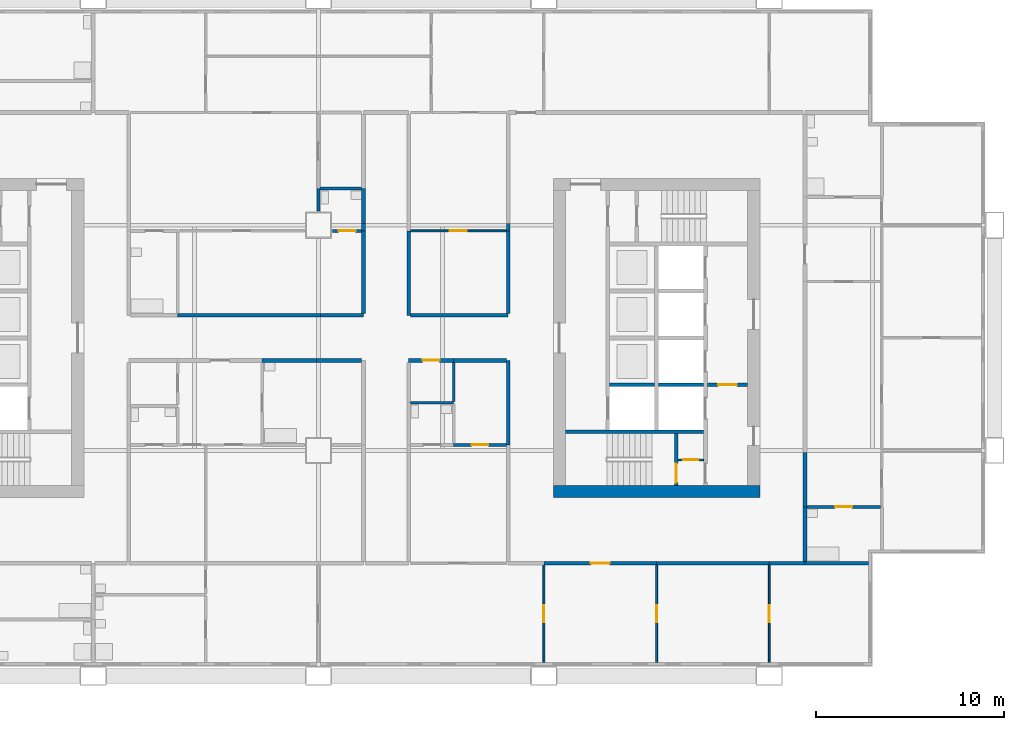
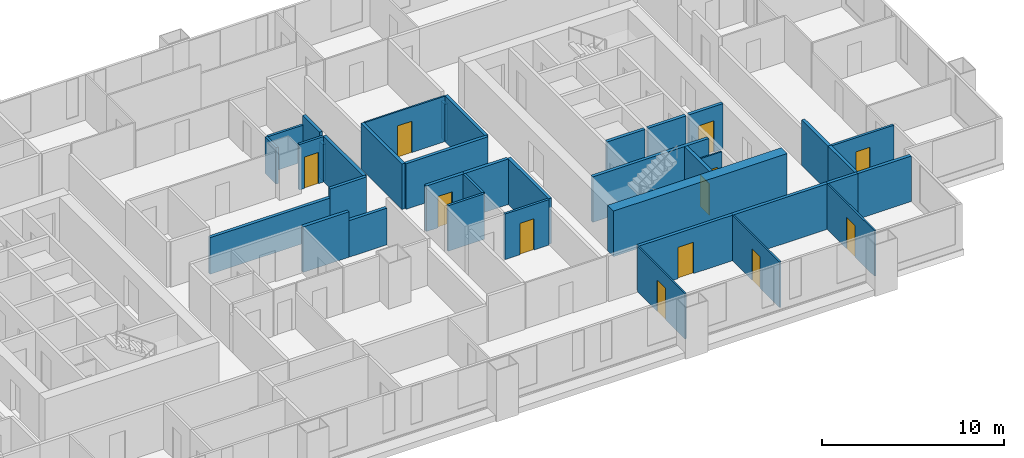
# One storey, part 6 of 13: 38 walls, 12 doors, 12 openings.
"""IFC4 building model written with IfcOpenShell, lengths in metres."""

from ifc_helpers import new_model, si_unit, direction, frame, frame_2d, origin, place, context, subcontext, project, spatial, rectangle, extrude, material, layer, layer_set, type_object, element, fill, save


model = new_model("IFC4")

# Units and contexts
model_context = context("Model", 3, precision=1e-05, world=origin(), true_north=direction((0.0, 1.0)))
body_context = subcontext(model_context, "Body", "Model", "MODEL_VIEW")
ifc_project = project(units=[si_unit("LENGTHUNIT", "METRE"), si_unit("AREAUNIT", "SQUARE_METRE"), si_unit("VOLUMEUNIT", "CUBIC_METRE"), si_unit("PLANEANGLEUNIT", "RADIAN"), si_unit("MASSUNIT", "GRAM", prefix="KILO")], contexts=[model_context])

# Site, building, storey
site_placement = place(None, origin())
site = spatial("IfcSite", under=ifc_project, at=site_placement, CompositionType="ELEMENT")
building_placement = place(site_placement, origin())
building = spatial("IfcBuilding", under=site, at=building_placement, Name="Kitamizu Gate Tower and Museum", CompositionType="ELEMENT")
storey_placement = place(building_placement, frame((0.0, 0.0, 144.89990234375)))
storey = spatial("IfcBuildingStorey", under=building, at=storey_placement, Name="L38", CompositionType="ELEMENT", Elevation=144.89990234375)

# Wall
ifc_material_1 = material(Name="Concrete Fc60", Category="concrete")
ifc_layer_1 = layer(ifc_material_1, 0.64990234375)
ifc_layer_set_1 = layer_set([ifc_layer_1], Name="Concrete Fc60")
wall_type_1 = type_object("IfcWallType", Name="Core wall 650", PredefinedType="SHEAR", material=ifc_layer_set_1)
wall_1_placement = place(storey_placement, frame((59.5, 21.824951171875, 0.0), z_axis=(0.0, 0.0, 1.0), x_axis=(-1.0, 0.0, 0.0)))
element("IfcWall", 1, at=wall_1_placement, inside=storey, type_object=wall_type_1, Name="Core wall ES", PredefinedType="SHEAR", context=body_context, shape_type="SweptSolid", body=[
    extrude(rectangle(XDim=11.0, YDim=0.64990234375, at=frame_2d((5.5, 0.0))), origin(), (0.0, 0.0, 1.0), 3.050048828125),
])

# Wall, opening, door
ifc_material_2 = material(Name="Gypsum board on galvanised stud")
ifc_layer_2 = layer(ifc_material_2, 0.10009765625)
ifc_layer_set_2 = layer_set([ifc_layer_2], Name="Gypsum board on galvanised stud")
wall_type_2 = type_object("IfcWallType", Name="Partition 100", PredefinedType="PARTITIONING", material=ifc_layer_set_2)
wall_2_placement = place(storey_placement, frame((56.5, 23.5, 0.0), z_axis=(0.0, 0.0, 1.0), x_axis=(-1.0, 0.0, 0.0)))
wall_2 = element("IfcWall", 2, at=wall_2_placement, inside=storey, type_object=wall_type_2, Name="Partition EPZS", PredefinedType="PARTITIONING", context=body_context, shape_type="SweptSolid", body=[
    extrude(rectangle(XDim=1.35009765625, YDim=0.10009765625, at=frame_2d((0.675048828125, 0.0))), origin(), (0.0, 0.0, 1.0), 3.050048828125),
])
opening_1_placement = place(wall_2_placement, frame((0.27490234375, 0.0, 0.0)))
opening_1 = element("IfcOpeningElement", 3, at=opening_1_placement, cuts=wall_2, Name="Opening L38-070", PredefinedType="OPENING", context=body_context, shape_type="SweptSolid", body=[
    extrude(rectangle(XDim=0.800048828125, YDim=2.10009765625, at=frame_2d((0.39990234375, 1.050048828125))), frame((0.0, 0.06005859375, 0.0), z_axis=(0.0, -1.0, 0.0), x_axis=(1.0, 0.0, 0.0)), (0.0, 0.0, 1.0), 0.1201171875),
])
ifc_material_3 = material(Name="Timber door set", Category="wood")
door_type_1 = type_object("IfcDoorType", Name="Cupboard door 800", OperationType="NOTDEFINED", PredefinedType="DOOR", material=ifc_material_3)
door_1_placement = place(opening_1_placement, origin())
door_1 = element("IfcDoor", 4, at=door_1_placement, inside=storey, type_object=door_type_1, Name="Cupboard door L38-070", OperationType="SINGLE_SWING_RIGHT", OverallHeight=2.10009765625, OverallWidth=0.800048828125, PredefinedType="DOOR", context=body_context, shape_type="SweptSolid", body=[
    extrude(rectangle(XDim=0.800048828125, YDim=2.10009765625, at=frame_2d((0.39990234375, 1.050048828125))), frame((0.0, 0.02490234375, 0.0), z_axis=(0.0, -1.0, 0.0), x_axis=(1.0, 0.0, 0.0)), (0.0, 0.0, 1.0), 0.050048828125),
])
fill(opening_1, door_1)

ifc_material_4 = material(Name="Gypsum board on galvanised stud")
ifc_layer_3 = layer(ifc_material_4, 0.10009765625)
ifc_layer_set_3 = layer_set([ifc_layer_3], Name="Gypsum board on galvanised stud")
wall_type_3 = type_object("IfcWallType", Name="Partition 100 NOT RATED", PredefinedType="PARTITIONING", material=ifc_layer_set_3)
wall_3_placement = place(storey_placement, frame((48.0, 12.719970703125, 0.0), z_axis=(0.0, 0.0, 1.0), x_axis=(0.0, 1.0, 0.0)))
wall_3 = element("IfcWall", 5, at=wall_3_placement, inside=storey, type_object=wall_type_3, Name="Partition L38-061", PredefinedType="PARTITIONING", context=body_context, shape_type="SweptSolid", body=[
    extrude(rectangle(XDim=5.179931640625, YDim=0.10009765625, at=frame_2d((2.58984375, 0.0))), origin(), (0.0, 0.0, 1.0), 3.050048828125),
])
opening_2_placement = place(wall_3_placement, frame((2.139892578125, 0.0, 0.0)))
opening_2 = element("IfcOpeningElement", 6, at=opening_2_placement, cuts=wall_3, Name="Opening L38-020", PredefinedType="OPENING", context=body_context, shape_type="SweptSolid", body=[
    extrude(rectangle(XDim=0.89990234375, YDim=2.10009765625, at=frame_2d((0.449951171875, 1.050048828125))), frame((0.0, 0.06005859375, 0.0), z_axis=(0.0, -1.0, 0.0), x_axis=(1.0, 0.0, 0.0)), (0.0, 0.0, 1.0), 0.1201171875),
])
ifc_material_5 = material(Name="Timber door set", Category="wood")
door_type_2 = type_object("IfcDoorType", Name="Room door 900", OperationType="NOTDEFINED", PredefinedType="DOOR", material=ifc_material_5)
door_2_placement = place(opening_2_placement, origin())
door_2 = element("IfcDoor", 7, at=door_2_placement, inside=storey, type_object=door_type_2, Name="Door L38-020", OperationType="SINGLE_SWING_RIGHT", OverallHeight=2.10009765625, OverallWidth=0.89990234375, PredefinedType="DOOR", context=body_context, shape_type="SweptSolid", body=[
    extrude(rectangle(XDim=0.89990234375, YDim=2.10009765625, at=frame_2d((0.449951171875, 1.050048828125))), frame((0.0, 0.02490234375, 0.0), z_axis=(0.0, -1.0, 0.0), x_axis=(1.0, 0.0, 0.0)), (0.0, 0.0, 1.0), 0.050048828125),
])
fill(opening_2, door_2)

wall_4_placement = place(storey_placement, frame((54.0, 12.719970703125, 0.0), z_axis=(0.0, 0.0, 1.0), x_axis=(0.0, 1.0, 0.0)))
wall_4 = element("IfcWall", 8, at=wall_4_placement, inside=storey, type_object=wall_type_3, Name="Partition L38-065", PredefinedType="PARTITIONING", context=body_context, shape_type="SweptSolid", body=[
    extrude(rectangle(XDim=5.179931640625, YDim=0.10009765625, at=frame_2d((2.58984375, 0.0))), origin(), (0.0, 0.0, 1.0), 3.050048828125),
])
opening_3_placement = place(wall_4_placement, frame((2.139892578125, 0.0, 0.0)))
opening_3 = element("IfcOpeningElement", 9, at=opening_3_placement, cuts=wall_4, Name="Opening L38-024", PredefinedType="OPENING", context=body_context, shape_type="SweptSolid", body=[
    extrude(rectangle(XDim=0.89990234375, YDim=2.10009765625, at=frame_2d((0.449951171875, 1.050048828125))), frame((0.0, 0.06005859375, 0.0), z_axis=(0.0, -1.0, 0.0), x_axis=(1.0, 0.0, 0.0)), (0.0, 0.0, 1.0), 0.1201171875),
])
door_3_placement = place(opening_3_placement, frame((0.89990234375, 0.0, 0.0), x_axis=(-1.0, 0.0, 0.0)))
door_3 = element("IfcDoor", 10, at=door_3_placement, inside=storey, type_object=door_type_2, Name="Door L38-024", OperationType="SINGLE_SWING_LEFT", OverallHeight=2.10009765625, OverallWidth=0.89990234375, PredefinedType="DOOR", context=body_context, shape_type="SweptSolid", body=[
    extrude(rectangle(XDim=0.89990234375, YDim=2.10009765625, at=frame_2d((0.449951171875, 1.050048828125))), frame((0.0, 0.02490234375, 0.0), z_axis=(0.0, -1.0, 0.0), x_axis=(1.0, 0.0, 0.0)), (0.0, 0.0, 1.0), 0.050048828125),
])
fill(opening_3, door_3)

wall_5_placement = place(storey_placement, frame((60.0, 12.719970703125, 0.0), z_axis=(0.0, 0.0, 1.0), x_axis=(0.0, 1.0, 0.0)))
wall_5 = element("IfcWall", 11, at=wall_5_placement, inside=storey, type_object=wall_type_3, Name="Partition L38-067", PredefinedType="PARTITIONING", context=body_context, shape_type="SweptSolid", body=[
    extrude(rectangle(XDim=5.179931640625, YDim=0.10009765625, at=frame_2d((2.58984375, 0.0))), origin(), (0.0, 0.0, 1.0), 3.050048828125),
])
opening_4_placement = place(wall_5_placement, frame((2.139892578125, 0.0, 0.0)))
opening_4 = element("IfcOpeningElement", 12, at=opening_4_placement, cuts=wall_5, Name="Opening L38-026", PredefinedType="OPENING", context=body_context, shape_type="SweptSolid", body=[
    extrude(rectangle(XDim=0.89990234375, YDim=2.10009765625, at=frame_2d((0.449951171875, 1.050048828125))), frame((0.0, 0.06005859375, 0.0), z_axis=(0.0, -1.0, 0.0), x_axis=(1.0, 0.0, 0.0)), (0.0, 0.0, 1.0), 0.1201171875),
])
door_4_placement = place(opening_4_placement, frame((0.89990234375, 0.0, 0.0), x_axis=(-1.0, 0.0, 0.0)))
door_4 = element("IfcDoor", 13, at=door_4_placement, inside=storey, type_object=door_type_2, Name="Door L38-026", OperationType="SINGLE_SWING_LEFT", OverallHeight=2.10009765625, OverallWidth=0.89990234375, PredefinedType="DOOR", context=body_context, shape_type="SweptSolid", body=[
    extrude(rectangle(XDim=0.89990234375, YDim=2.10009765625, at=frame_2d((0.449951171875, 1.050048828125))), frame((0.0, 0.02490234375, 0.0), z_axis=(0.0, -1.0, 0.0), x_axis=(1.0, 0.0, 0.0)), (0.0, 0.0, 1.0), 0.050048828125),
])
fill(opening_4, door_4)

wall_6_placement = place(storey_placement, frame((40.89990234375, 35.699951171875, 0.0), z_axis=(0.0, 0.0, 1.0), x_axis=(1.0, 0.0, 0.0)))
wall_6 = element("IfcWall", 14, at=wall_6_placement, inside=storey, type_object=wall_type_3, Name="Partition L38-147", PredefinedType="PARTITIONING", context=body_context, shape_type="SweptSolid", body=[
    extrude(rectangle(XDim=5.10009765625, YDim=0.10009765625, at=frame_2d((2.550048828125, 0.0))), origin(), (0.0, 0.0, 1.0), 3.050048828125),
])
opening_5_placement = place(wall_6_placement, frame((2.10009765625, 0.0, 0.0)))
opening_5 = element("IfcOpeningElement", 15, at=opening_5_placement, cuts=wall_6, Name="Opening L38-053", PredefinedType="OPENING", context=body_context, shape_type="SweptSolid", body=[
    extrude(rectangle(XDim=0.89990234375, YDim=2.10009765625, at=frame_2d((0.449951171875, 1.050048828125))), frame((0.0, 0.06005859375, 0.0), z_axis=(0.0, -1.0, 0.0), x_axis=(1.0, 0.0, 0.0)), (0.0, 0.0, 1.0), 0.1201171875),
])
door_5_placement = place(opening_5_placement, frame((0.89990234375, 0.0, 0.0), x_axis=(-1.0, 0.0, 0.0)))
door_5 = element("IfcDoor", 16, at=door_5_placement, inside=storey, type_object=door_type_2, Name="Door L38-053", OperationType="SINGLE_SWING_LEFT", OverallHeight=2.10009765625, OverallWidth=0.89990234375, PredefinedType="DOOR", context=body_context, shape_type="SweptSolid", body=[
    extrude(rectangle(XDim=0.89990234375, YDim=2.10009765625, at=frame_2d((0.449951171875, 1.050048828125))), frame((0.0, 0.02490234375, 0.0), z_axis=(0.0, -1.0, 0.0), x_axis=(1.0, 0.0, 0.0)), (0.0, 0.0, 1.0), 0.050048828125),
])
fill(opening_5, door_5)

ifc_material_6 = material(Name="Gypsum board on galvanised stud")
ifc_layer_4 = layer(ifc_material_6, 0.14990234375)
ifc_layer_set_4 = layer_set([ifc_layer_4], Name="Gypsum board on galvanised stud")
wall_type_4 = type_object("IfcWallType", Name="Partition 150", PredefinedType="PARTITIONING", material=ifc_layer_set_4)
wall_7_placement = place(storey_placement, frame((46.0, 24.300048828125, 0.0), z_axis=(0.0, 0.0, 1.0), x_axis=(-1.0, 0.0, 0.0)))
wall_7 = element("IfcWall", 17, at=wall_7_placement, inside=storey, type_object=wall_type_4, Name="Partition L38-072", PredefinedType="PARTITIONING", context=body_context, shape_type="SweptSolid", body=[
    extrude(rectangle(XDim=2.800048828125, YDim=0.14990234375, at=frame_2d((1.39990234375, 0.0))), origin(), (0.0, 0.0, 1.0), 3.050048828125),
])
opening_6_placement = place(wall_7_placement, frame((0.949951171875, 0.0, 0.0)))
opening_6 = element("IfcOpeningElement", 18, at=opening_6_placement, cuts=wall_7, Name="Opening L38-028", PredefinedType="OPENING", context=body_context, shape_type="SweptSolid", body=[
    extrude(rectangle(XDim=0.89990234375, YDim=2.10009765625, at=frame_2d((0.449951171875, 1.050048828125))), frame((0.0, 0.0849609375, 0.0), z_axis=(0.0, -1.0, 0.0), x_axis=(1.0, 0.0, 0.0)), (0.0, 0.0, 1.0), 0.169921875),
])
ifc_material_7 = material(Name="Timber door set", Category="wood")
door_type_3 = type_object("IfcDoorType", Name="Bathroom door 900", OperationType="NOTDEFINED", PredefinedType="DOOR", material=ifc_material_7)
door_6_placement = place(opening_6_placement, frame((0.89990234375, 0.0, 0.0), x_axis=(-1.0, 0.0, 0.0)))
door_6 = element("IfcDoor", 19, at=door_6_placement, inside=storey, type_object=door_type_3, Name="Bathroom door L38-028", OperationType="SINGLE_SWING_LEFT", OverallHeight=2.10009765625, OverallWidth=0.89990234375, PredefinedType="DOOR", context=body_context, shape_type="SweptSolid", body=[
    extrude(rectangle(XDim=0.89990234375, YDim=2.10009765625, at=frame_2d((0.449951171875, 1.050048828125))), frame((0.0, 0.02490234375, 0.0), z_axis=(0.0, -1.0, 0.0), x_axis=(1.0, 0.0, 0.0)), (0.0, 0.0, 1.0), 0.050048828125),
])
fill(opening_6, door_6)

# Walls
wall_8_placement = place(storey_placement, frame((43.199951171875, 26.550048828125, 0.0), z_axis=(0.0, 0.0, 1.0), x_axis=(-1.0, 0.0, 0.0)))
element("IfcWall", 20, at=wall_8_placement, inside=storey, type_object=wall_type_4, Name="Partition L38-076", PredefinedType="PARTITIONING", context=body_context, shape_type="SweptSolid", body=[
    extrude(rectangle(XDim=2.300048828125, YDim=0.14990234375, at=frame_2d((1.14990234375, 0.0))), origin(), (0.0, 0.0, 1.0), 3.050048828125),
])
wall_9_placement = place(storey_placement, frame((43.199951171875, 26.625, 0.0), z_axis=(0.0, 0.0, 1.0), x_axis=(0.0, 1.0, 0.0)))
element("IfcWall", 21, at=wall_9_placement, inside=storey, type_object=wall_type_4, Name="Partition L38-079", PredefinedType="PARTITIONING", context=body_context, shape_type="SweptSolid", body=[
    extrude(rectangle(XDim=2.074951171875, YDim=0.14990234375, at=frame_2d((1.03759765625, 0.0))), origin(), (0.0, 0.0, 1.0), 3.050048828125),
])

# Wall, opening, door
wall_10_placement = place(storey_placement, frame((65.925048828125, 21.0, 0.0), z_axis=(0.0, 0.0, 1.0), x_axis=(-1.0, 0.0, 0.0)))
wall_10 = element("IfcWall", 22, at=wall_10_placement, inside=storey, type_object=wall_type_4, Name="Partition L38-094", PredefinedType="PARTITIONING", context=body_context, shape_type="SweptSolid", body=[
    extrude(rectangle(XDim=3.925048828125, YDim=0.14990234375, at=frame_2d((1.96240234375, 0.0))), origin(), (0.0, 0.0, 1.0), 3.050048828125),
])
opening_7_placement = place(wall_10_placement, frame((1.512451171875, 0.0, 0.0)))
opening_7 = element("IfcOpeningElement", 23, at=opening_7_placement, cuts=wall_10, Name="Opening L38-037", PredefinedType="OPENING", context=body_context, shape_type="SweptSolid", body=[
    extrude(rectangle(XDim=0.89990234375, YDim=2.10009765625, at=frame_2d((0.449951171875, 1.050048828125))), frame((0.0, 0.0849609375, 0.0), z_axis=(0.0, -1.0, 0.0), x_axis=(1.0, 0.0, 0.0)), (0.0, 0.0, 1.0), 0.169921875),
])
door_7_placement = place(opening_7_placement, origin())
door_7 = element("IfcDoor", 24, at=door_7_placement, inside=storey, type_object=door_type_3, Name="Bathroom door L38-037", OperationType="SINGLE_SWING_RIGHT", OverallHeight=2.10009765625, OverallWidth=0.89990234375, PredefinedType="DOOR", context=body_context, shape_type="SweptSolid", body=[
    extrude(rectangle(XDim=0.89990234375, YDim=2.10009765625, at=frame_2d((0.449951171875, 1.050048828125))), frame((0.0, 0.02490234375, 0.0), z_axis=(0.0, -1.0, 0.0), x_axis=(1.0, 0.0, 0.0)), (0.0, 0.0, 1.0), 0.050048828125),
])
fill(opening_7, door_7)

# Walls
wall_11_placement = place(storey_placement, frame((36.0, 36.75, 0.0), z_axis=(0.0, 0.0, 1.0), x_axis=(0.0, 1.0, 0.0)))
element("IfcWall", 25, at=wall_11_placement, inside=storey, type_object=wall_type_4, Name="Partition L38-131", PredefinedType="PARTITIONING", context=body_context, shape_type="SweptSolid", body=[
    extrude(rectangle(XDim=1.199951171875, YDim=0.14990234375, at=frame_2d((0.60009765625, 0.0))), origin(), (0.0, 0.0, 1.0), 2.4501953125),
])
wall_12_placement = place(storey_placement, frame((38.300048828125, 37.949951171875, 0.0), z_axis=(0.0, 0.0, 1.0), x_axis=(-1.0, 0.0, 0.0)))
element("IfcWall", 26, at=wall_12_placement, inside=storey, type_object=wall_type_4, Name="Partition L38-136", PredefinedType="PARTITIONING", context=body_context, shape_type="SweptSolid", body=[
    extrude(rectangle(XDim=2.22509765625, YDim=0.14990234375, at=frame_2d((1.112548828125, 0.0))), origin(), (0.0, 0.0, 1.0), 2.4501953125),
])

# Wall, opening, door
wall_13_placement = place(storey_placement, frame((36.75, 35.699951171875, 0.0), z_axis=(0.0, 0.0, 1.0), x_axis=(1.0, 0.0, 0.0)))
wall_13 = element("IfcWall", 27, at=wall_13_placement, inside=storey, type_object=wall_type_4, Name="Partition L38-137", PredefinedType="PARTITIONING", context=body_context, shape_type="SweptSolid", body=[
    extrude(rectangle(XDim=1.550048828125, YDim=0.14990234375, at=frame_2d((0.77490234375, 0.0))), origin(), (0.0, 0.0, 1.0), 3.050048828125),
])
opening_8_placement = place(wall_13_placement, frame((0.324951171875, 0.0, 0.0)))
opening_8 = element("IfcOpeningElement", 28, at=opening_8_placement, cuts=wall_13, Name="Opening L38-054", PredefinedType="OPENING", context=body_context, shape_type="SweptSolid", body=[
    extrude(rectangle(XDim=0.89990234375, YDim=2.10009765625, at=frame_2d((0.449951171875, 1.050048828125))), frame((0.0, 0.0849609375, 0.0), z_axis=(0.0, -1.0, 0.0), x_axis=(1.0, 0.0, 0.0)), (0.0, 0.0, 1.0), 0.169921875),
])
door_8_placement = place(opening_8_placement, origin())
door_8 = element("IfcDoor", 29, at=door_8_placement, inside=storey, type_object=door_type_3, Name="Bathroom door L38-054", OperationType="SINGLE_SWING_LEFT", OverallHeight=2.10009765625, OverallWidth=0.89990234375, PredefinedType="DOOR", context=body_context, shape_type="SweptSolid", body=[
    extrude(rectangle(XDim=0.89990234375, YDim=2.10009765625, at=frame_2d((0.449951171875, 1.050048828125))), frame((0.0, 0.02490234375, 0.0), z_axis=(0.0, -1.0, 0.0), x_axis=(1.0, 0.0, 0.0)), (0.0, 0.0, 1.0), 0.050048828125),
])
fill(opening_8, door_8)

# Walls
ifc_material_8 = material(Name="Gypsum board on galvanised stud")
ifc_layer_5 = layer(ifc_material_8, 0.199951171875)
ifc_layer_set_5 = layer_set([ifc_layer_5], Name="Gypsum board on galvanised stud")
wall_type_5 = type_object("IfcWallType", Name="Partition 200", PredefinedType="PARTITIONING", material=ifc_layer_set_5)
wall_14_placement = place(storey_placement, frame((38.300048828125, 28.800048828125, 0.0), z_axis=(0.0, 0.0, 1.0), x_axis=(-1.0, 0.0, 0.0)))
element("IfcWall", 30, at=wall_14_placement, inside=storey, type_object=wall_type_5, Name="Partition L38-054", PredefinedType="PARTITIONING", context=body_context, shape_type="SweptSolid", body=[
    extrude(rectangle(XDim=2.400146484375, YDim=0.199951171875, at=frame_2d((1.2001953125, 0.0))), origin(), (0.0, 0.0, 1.0), 2.4501953125),
])
wall_15_placement = place(storey_placement, frame((35.89990234375, 28.800048828125, 0.0), z_axis=(0.0, 0.0, 1.0), x_axis=(-1.0, 0.0, 0.0)))
element("IfcWall", 31, at=wall_15_placement, inside=storey, type_object=wall_type_5, Name="Partition L38-055", PredefinedType="PARTITIONING", context=body_context, shape_type="SweptSolid", body=[
    extrude(rectangle(XDim=2.89990234375, YDim=0.199951171875, at=frame_2d((1.449951171875, 0.0))), origin(), (0.0, 0.0, 1.0), 3.050048828125),
])

# Wall, opening, door
wall_16_placement = place(storey_placement, frame((54.0, 18.0, 0.0), z_axis=(0.0, 0.0, 1.0), x_axis=(-1.0, 0.0, 0.0)))
wall_16 = element("IfcWall", 32, at=wall_16_placement, inside=storey, type_object=wall_type_5, Name="Partition L38-066", PredefinedType="PARTITIONING", context=body_context, shape_type="SweptSolid", body=[
    extrude(rectangle(XDim=6.0, YDim=0.199951171875, at=frame_2d((3.0, 0.0))), origin(), (0.0, 0.0, 1.0), 3.050048828125),
])
opening_9_placement = place(wall_16_placement, frame((2.5, 0.0, 0.0)))
opening_9 = element("IfcOpeningElement", 33, at=opening_9_placement, cuts=wall_16, Name="Opening L38-019", PredefinedType="OPENING", context=body_context, shape_type="SweptSolid", body=[
    extrude(rectangle(XDim=1.0, YDim=2.10009765625, at=frame_2d((0.5, 1.050048828125))), frame((0.0, 0.10986328125, 0.0), z_axis=(0.0, -1.0, 0.0), x_axis=(1.0, 0.0, 0.0)), (0.0, 0.0, 1.0), 0.219970703125),
])
ifc_material_9 = material(Name="Timber door set", Category="wood")
door_type_4 = type_object("IfcDoorType", Name="Flat entrance door 1000", OperationType="NOTDEFINED", PredefinedType="DOOR", material=ifc_material_9)
door_9_placement = place(opening_9_placement, origin())
door_9 = element("IfcDoor", 34, at=door_9_placement, inside=storey, type_object=door_type_4, Name="Flat entrance door L38-019", OperationType="SINGLE_SWING_LEFT", OverallHeight=2.10009765625, OverallWidth=1.0, PredefinedType="DOOR", context=body_context, shape_type="SweptSolid", body=[
    extrude(rectangle(XDim=1.0, YDim=2.10009765625, at=frame_2d((0.5, 1.050048828125))), frame((0.0, 0.02490234375, 0.0), z_axis=(0.0, -1.0, 0.0), x_axis=(1.0, 0.0, 0.0)), (0.0, 0.0, 1.0), 0.050048828125),
])
fill(opening_9, door_9)

# Walls
wall_17_placement = place(storey_placement, frame((60.0, 18.0, 0.0), z_axis=(0.0, 0.0, 1.0), x_axis=(-1.0, 0.0, 0.0)))
element("IfcWall", 35, at=wall_17_placement, inside=storey, type_object=wall_type_5, Name="Partition L38-068", PredefinedType="PARTITIONING", context=body_context, shape_type="SweptSolid", body=[
    extrude(rectangle(XDim=6.0, YDim=0.199951171875, at=frame_2d((3.0, 0.0))), origin(), (0.0, 0.0, 1.0), 3.050048828125),
])
wall_18_placement = place(storey_placement, frame((65.280029296875, 18.0, 0.0), z_axis=(0.0, 0.0, 1.0), x_axis=(-1.0, 0.0, 0.0)))
element("IfcWall", 36, at=wall_18_placement, inside=storey, type_object=wall_type_5, Name="Partition L38-069", PredefinedType="PARTITIONING", context=body_context, shape_type="SweptSolid", body=[
    extrude(rectangle(XDim=3.380126953125, YDim=0.199951171875, at=frame_2d((1.68994140625, 0.0))), origin(), (0.0, 0.0, 1.0), 3.050048828125),
])
wall_19_placement = place(storey_placement, frame((61.89990234375, 18.0, 0.0), z_axis=(0.0, 0.0, 1.0), x_axis=(-1.0, 0.0, 0.0)))
element("IfcWall", 37, at=wall_19_placement, inside=storey, type_object=wall_type_5, Name="Partition L38-070", PredefinedType="PARTITIONING", context=body_context, shape_type="SweptSolid", body=[
    extrude(rectangle(XDim=1.89990234375, YDim=0.199951171875, at=frame_2d((0.949951171875, 0.0))), origin(), (0.0, 0.0, 1.0), 3.050048828125),
])

# Wall, opening, door
wall_20_placement = place(storey_placement, frame((43.199951171875, 28.800048828125, 0.0), z_axis=(0.0, 0.0, 1.0), x_axis=(-1.0, 0.0, 0.0)))
wall_20 = element("IfcWall", 38, at=wall_20_placement, inside=storey, type_object=wall_type_5, Name="Partition L38-080", PredefinedType="PARTITIONING", context=body_context, shape_type="SweptSolid", body=[
    extrude(rectangle(XDim=2.39990234375, YDim=0.199951171875, at=frame_2d((1.199951171875, 0.0))), origin(), (0.0, 0.0, 1.0), 3.050048828125),
])
opening_10_placement = place(wall_20_placement, frame((0.75, 0.0, 0.0)))
opening_10 = element("IfcOpeningElement", 39, at=opening_10_placement, cuts=wall_20, Name="Opening L38-029", PredefinedType="OPENING", context=body_context, shape_type="SweptSolid", body=[
    extrude(rectangle(XDim=0.89990234375, YDim=2.10009765625, at=frame_2d((0.449951171875, 1.050048828125))), frame((0.0, 0.10986328125, 0.0), z_axis=(0.0, -1.0, 0.0), x_axis=(1.0, 0.0, 0.0)), (0.0, 0.0, 1.0), 0.219970703125),
])
ifc_material_10 = material(Name="Timber door set", Category="wood")
door_type_5 = type_object("IfcDoorType", Name="Store door 900", OperationType="NOTDEFINED", PredefinedType="DOOR", material=ifc_material_10)
door_10_placement = place(opening_10_placement, origin())
door_10 = element("IfcDoor", 40, at=door_10_placement, inside=storey, type_object=door_type_5, Name="Service entrance door L38-029", OperationType="SINGLE_SWING_LEFT", OverallHeight=2.10009765625, OverallWidth=0.89990234375, PredefinedType="DOOR", context=body_context, shape_type="SweptSolid", body=[
    extrude(rectangle(XDim=0.89990234375, YDim=2.10009765625, at=frame_2d((0.449951171875, 1.050048828125))), frame((0.0, 0.02490234375, 0.0), z_axis=(0.0, -1.0, 0.0), x_axis=(1.0, 0.0, 0.0)), (0.0, 0.0, 1.0), 0.050048828125),
])
fill(opening_10, door_10)

# Walls
wall_21_placement = place(storey_placement, frame((46.10009765625, 24.300048828125, 0.0), z_axis=(0.0, 0.0, 1.0), x_axis=(0.0, 1.0, 0.0)))
element("IfcWall", 41, at=wall_21_placement, inside=storey, type_object=wall_type_5, Name="Partition L38-082", PredefinedType="PARTITIONING", context=body_context, shape_type="SweptSolid", body=[
    extrude(rectangle(XDim=4.5, YDim=0.199951171875, at=frame_2d((2.25, 0.0))), origin(), (0.0, 0.0, 1.0), 3.050048828125),
])
wall_22_placement = place(storey_placement, frame((46.0, 28.800048828125, 0.0), z_axis=(0.0, 0.0, 1.0), x_axis=(-1.0, 0.0, 0.0)))
element("IfcWall", 42, at=wall_22_placement, inside=storey, type_object=wall_type_5, Name="Partition L38-083", PredefinedType="PARTITIONING", context=body_context, shape_type="SweptSolid", body=[
    extrude(rectangle(XDim=2.800048828125, YDim=0.199951171875, at=frame_2d((1.39990234375, 0.0))), origin(), (0.0, 0.0, 1.0), 3.050048828125),
])
for number, where, z_axis, x_axis, name in (
    (43, (61.89990234375, 21.0, 0.0), (0.0, 0.0, 1.0), (0.0, -1.0, 0.0), "Partition L38-095"),
    (44, (61.89990234375, 23.89990234375, 0.0), (0.0, 0.0, 1.0), (0.0, -1.0, 0.0), "Partition L38-098"),
):
    element("IfcWall", number, at=place(storey_placement, frame(where, z_axis=z_axis, x_axis=x_axis)), inside=storey, type_object=wall_type_5, Name=name, PredefinedType="PARTITIONING", context=body_context, shape_type="SweptSolid", body=[
        extrude(rectangle(XDim=2.89990234375, YDim=0.199951171875, at=frame_2d((1.449951171875, 0.0))), origin(), (0.0, 0.0, 1.0), 3.050048828125),
    ])
wall_23_placement = place(storey_placement, frame((38.39990234375, 35.699951171875, 0.0), z_axis=(0.0, 0.0, 1.0), x_axis=(0.0, 1.0, 0.0)))
element("IfcWall", 45, at=wall_23_placement, inside=storey, type_object=wall_type_5, Name="Partition L38-138", PredefinedType="PARTITIONING", context=body_context, shape_type="SweptSolid", body=[
    extrude(rectangle(XDim=0.400146484375, YDim=0.199951171875, at=frame_2d((0.2001953125, 0.0))), origin(), (0.0, 0.0, 1.0), 2.4501953125),
])
wall_24_placement = place(storey_placement, frame((38.39990234375, 36.10009765625, 0.0), z_axis=(0.0, 0.0, 1.0), x_axis=(0.0, 1.0, 0.0)))
element("IfcWall", 46, at=wall_24_placement, inside=storey, type_object=wall_type_5, Name="Partition L38-139", PredefinedType="PARTITIONING", context=body_context, shape_type="SweptSolid", body=[
    extrude(rectangle(XDim=1.849853515625, YDim=0.199951171875, at=frame_2d((0.9248046875, 0.0))), origin(), (0.0, 0.0, 1.0), 3.050048828125),
])
wall_25_placement = place(storey_placement, frame((28.5, 31.199951171875, 0.0), z_axis=(0.0, 0.0, 1.0), x_axis=(1.0, 0.0, 0.0)))
element("IfcWall", 47, at=wall_25_placement, inside=storey, type_object=wall_type_5, Name="Partition L38-144", PredefinedType="PARTITIONING", context=body_context, shape_type="SweptSolid", body=[
    extrude(rectangle(XDim=7.60009765625, YDim=0.199951171875, at=frame_2d((3.800048828125, 0.0))), origin(), (0.0, 0.0, 1.0), 2.4501953125),
])
wall_26_placement = place(storey_placement, frame((36.10009765625, 31.199951171875, 0.0), z_axis=(0.0, 0.0, 1.0), x_axis=(1.0, 0.0, 0.0)))
element("IfcWall", 48, at=wall_26_placement, inside=storey, type_object=wall_type_5, Name="Partition L38-145", PredefinedType="PARTITIONING", context=body_context, shape_type="SweptSolid", body=[
    extrude(rectangle(XDim=2.2998046875, YDim=0.199951171875, at=frame_2d((1.14990234375, 0.0))), origin(), (0.0, 0.0, 1.0), 3.050048828125),
])
wall_27_placement = place(storey_placement, frame((38.39990234375, 31.300048828125, 0.0), z_axis=(0.0, 0.0, 1.0), x_axis=(0.0, 1.0, 0.0)))
element("IfcWall", 49, at=wall_27_placement, inside=storey, type_object=wall_type_5, Name="Partition L38-146", PredefinedType="PARTITIONING", context=body_context, shape_type="SweptSolid", body=[
    extrude(rectangle(XDim=4.39990234375, YDim=0.199951171875, at=frame_2d((2.199951171875, 0.0))), origin(), (0.0, 0.0, 1.0), 3.050048828125),
])
wall_28_placement = place(storey_placement, frame((46.10009765625, 35.699951171875, 0.0), z_axis=(0.0, 0.0, 1.0), x_axis=(0.0, 1.0, 0.0)))
element("IfcWall", 50, at=wall_28_placement, inside=storey, type_object=wall_type_5, Name="Partition L38-149", PredefinedType="PARTITIONING", context=body_context, shape_type="SweptSolid", body=[
    extrude(rectangle(XDim=0.400146484375, YDim=0.199951171875, at=frame_2d((0.2001953125, 0.0))), origin(), (0.0, 0.0, 1.0), 2.4501953125),
])
wall_29_placement = place(storey_placement, frame((40.800048828125, 35.699951171875, 0.0), z_axis=(0.0, 0.0, 1.0), x_axis=(0.0, -1.0, 0.0)))
element("IfcWall", 51, at=wall_29_placement, inside=storey, type_object=wall_type_5, Name="Partition L38-151", PredefinedType="PARTITIONING", context=body_context, shape_type="SweptSolid", body=[
    extrude(rectangle(XDim=4.5, YDim=0.199951171875, at=frame_2d((2.25, 0.0))), origin(), (0.0, 0.0, 1.0), 3.050048828125),
])
wall_30_placement = place(storey_placement, frame((40.89990234375, 31.199951171875, 0.0), z_axis=(0.0, 0.0, 1.0), x_axis=(1.0, 0.0, 0.0)))
element("IfcWall", 52, at=wall_30_placement, inside=storey, type_object=wall_type_5, Name="Partition L38-152", PredefinedType="PARTITIONING", context=body_context, shape_type="SweptSolid", body=[
    extrude(rectangle(XDim=5.2001953125, YDim=0.199951171875, at=frame_2d((2.60009765625, 0.0))), origin(), (0.0, 0.0, 1.0), 3.050048828125),
])
wall_31_placement = place(storey_placement, frame((46.10009765625, 31.300048828125, 0.0), z_axis=(0.0, 0.0, 1.0), x_axis=(0.0, 1.0, 0.0)))
element("IfcWall", 53, at=wall_31_placement, inside=storey, type_object=wall_type_5, Name="Partition L38-153", PredefinedType="PARTITIONING", context=body_context, shape_type="SweptSolid", body=[
    extrude(rectangle(XDim=4.39990234375, YDim=0.199951171875, at=frame_2d((2.199951171875, 0.0))), origin(), (0.0, 0.0, 1.0), 3.050048828125),
])
ifc_material_11 = material(Name="Concrete Fc42", Category="concrete")
ifc_layer_6 = layer(ifc_material_11, 0.199951171875)
ifc_layer_set_6 = layer_set([ifc_layer_6], Name="Concrete Fc42")
wall_type_6 = type_object("IfcWallType", Name="Shaft wall 200", PredefinedType="SOLIDWALL", material=ifc_layer_set_6)
wall_32_placement = place(storey_placement, frame((56.5, 25.0, 0.0), z_axis=(0.0, 0.0, 1.0), x_axis=(-1.0, 0.0, 0.0)))
element("IfcWall", 54, at=wall_32_placement, inside=storey, type_object=wall_type_6, Name="Shaft wall ESB", PredefinedType="SOLIDWALL", context=body_context, shape_type="SweptSolid", body=[
    extrude(rectangle(XDim=7.35009765625, YDim=0.199951171875, at=frame_2d((3.675048828125, 0.0))), origin(), (0.0, 0.0, 1.0), 3.050048828125),
])

# Wall, opening, door
wall_33_placement = place(storey_placement, frame((58.85009765625, 27.5, 0.0), z_axis=(0.0, 0.0, 1.0), x_axis=(-1.0, 0.0, 0.0)))
wall_33 = element("IfcWall", 55, at=wall_33_placement, inside=storey, type_object=wall_type_6, Name="Shaft wall EFFN", PredefinedType="SOLIDWALL", context=body_context, shape_type="SweptSolid", body=[
    extrude(rectangle(XDim=2.150146484375, YDim=0.199951171875, at=frame_2d((1.0751953125, 0.0))), origin(), (0.0, 0.0, 1.0), 3.050048828125),
])
opening_11_placement = place(wall_33_placement, frame((0.574951171875, 0.0, 0.0)))
opening_11 = element("IfcOpeningElement", 56, at=opening_11_placement, cuts=wall_33, Name="Opening L38-069", PredefinedType="OPENING", context=body_context, shape_type="SweptSolid", body=[
    extrude(rectangle(XDim=1.0, YDim=2.10009765625, at=frame_2d((0.5, 1.050048828125))), frame((0.0, 0.10986328125, 0.0), z_axis=(0.0, -1.0, 0.0), x_axis=(1.0, 0.0, 0.0)), (0.0, 0.0, 1.0), 0.219970703125),
])
ifc_material_12 = material(Name="Hollow metal door set")
door_type_6 = type_object("IfcDoorType", Name="Fire door 1000", OperationType="NOTDEFINED", PredefinedType="DOOR", material=ifc_material_12)
door_11_placement = place(opening_11_placement, origin())
door_11 = element("IfcDoor", 57, at=door_11_placement, inside=storey, type_object=door_type_6, Name="Fire-fighting lobby door L38-069", OperationType="SINGLE_SWING_LEFT", OverallHeight=2.10009765625, OverallWidth=1.0, PredefinedType="DOOR", context=body_context, shape_type="SweptSolid", body=[
    extrude(rectangle(XDim=1.0, YDim=2.10009765625, at=frame_2d((0.5, 1.050048828125))), frame((0.0, 0.02490234375, 0.0), z_axis=(0.0, -1.0, 0.0), x_axis=(1.0, 0.0, 0.0)), (0.0, 0.0, 1.0), 0.050048828125),
])
fill(opening_11, door_11)

wall_34_placement = place(storey_placement, frame((55.050048828125, 22.14990234375, 0.0), z_axis=(0.0, 0.0, 1.0), x_axis=(0.0, 1.0, 0.0)))
wall_34 = element("IfcWall", 58, at=wall_34_placement, inside=storey, type_object=wall_type_6, Name="Shaft wall ESZ", PredefinedType="SOLIDWALL", context=body_context, shape_type="SweptSolid", body=[
    extrude(rectangle(XDim=2.75, YDim=0.199951171875, at=frame_2d((1.375, 0.0))), origin(), (0.0, 0.0, 1.0), 3.050048828125),
])
opening_12_placement = place(wall_34_placement, frame((0.14990234375, 0.0, 0.0)))
opening_12 = element("IfcOpeningElement", 59, at=opening_12_placement, cuts=wall_34, Name="Opening L38-065", PredefinedType="OPENING", context=body_context, shape_type="SweptSolid", body=[
    extrude(rectangle(XDim=1.0, YDim=2.10009765625, at=frame_2d((0.5, 1.050048828125))), frame((0.0, 0.10986328125, 0.0), z_axis=(0.0, -1.0, 0.0), x_axis=(1.0, 0.0, 0.0)), (0.0, 0.0, 1.0), 0.219970703125),
])
door_12_placement = place(opening_12_placement, origin())
door_12 = element("IfcDoor", 60, at=door_12_placement, inside=storey, type_object=door_type_6, Name="Stair door L38-065", OperationType="SINGLE_SWING_RIGHT", OverallHeight=2.10009765625, OverallWidth=1.0, PredefinedType="DOOR", context=body_context, shape_type="SweptSolid", body=[
    extrude(rectangle(XDim=1.0, YDim=2.10009765625, at=frame_2d((0.5, 1.050048828125))), frame((0.0, 0.02490234375, 0.0), z_axis=(0.0, -1.0, 0.0), x_axis=(1.0, 0.0, 0.0)), (0.0, 0.0, 1.0), 0.050048828125),
])
fill(opening_12, door_12)

# Walls
for number, where, z_axis, x_axis, name in (
    (61, (56.5, 27.5, 0.0), (0.0, 0.0, 1.0), (-1.0, 0.0, 0.0), "Shaft wall EDVW0"),
    (62, (53.89990234375, 27.5, 0.0), (0.0, 0.0, 1.0), (-1.0, 0.0, 0.0), "Shaft wall EDVE0"),
):
    element("IfcWall", number, at=place(storey_placement, frame(where, z_axis=z_axis, x_axis=x_axis)), inside=storey, type_object=wall_type_6, Name=name, PredefinedType="SOLIDWALL", context=body_context, shape_type="SweptSolid", body=[
        extrude(rectangle(XDim=2.39990234375, YDim=0.199951171875, at=frame_2d((1.199951171875, 0.0))), origin(), (0.0, 0.0, 1.0), 3.050048828125),
    ])

save(model, "model.ifc")
